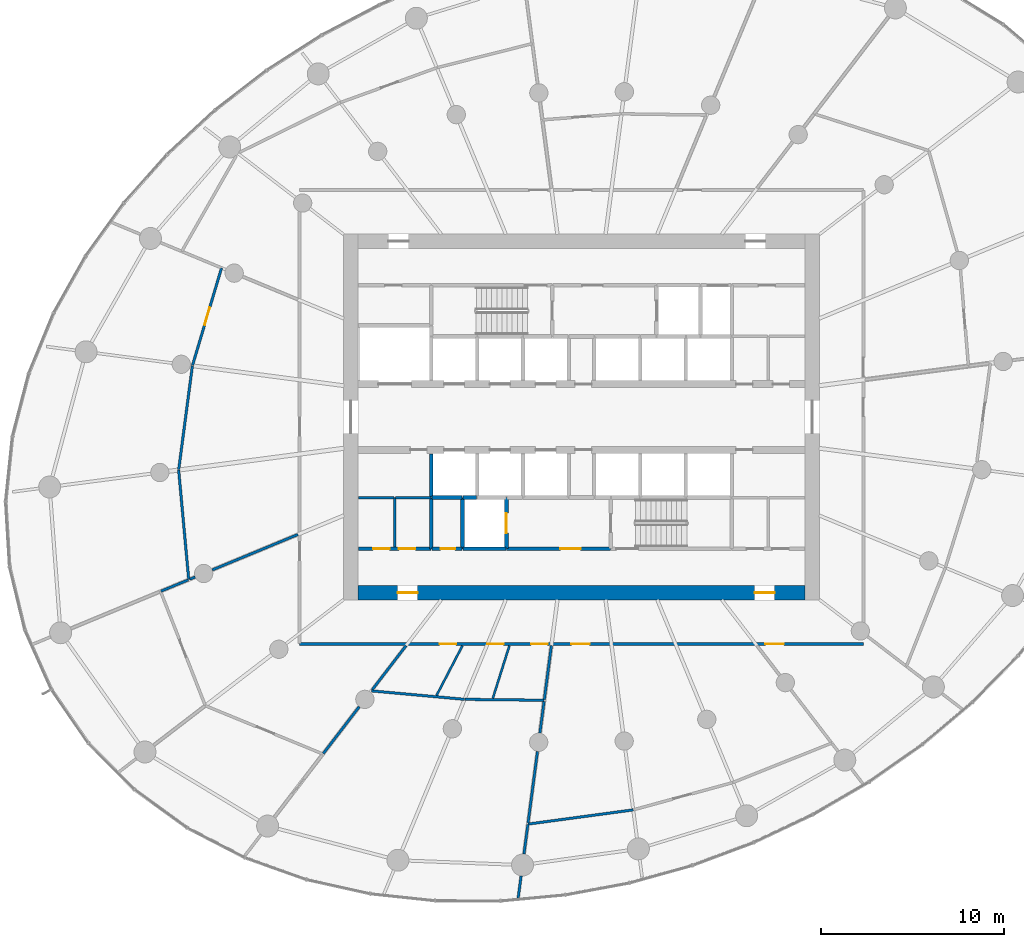
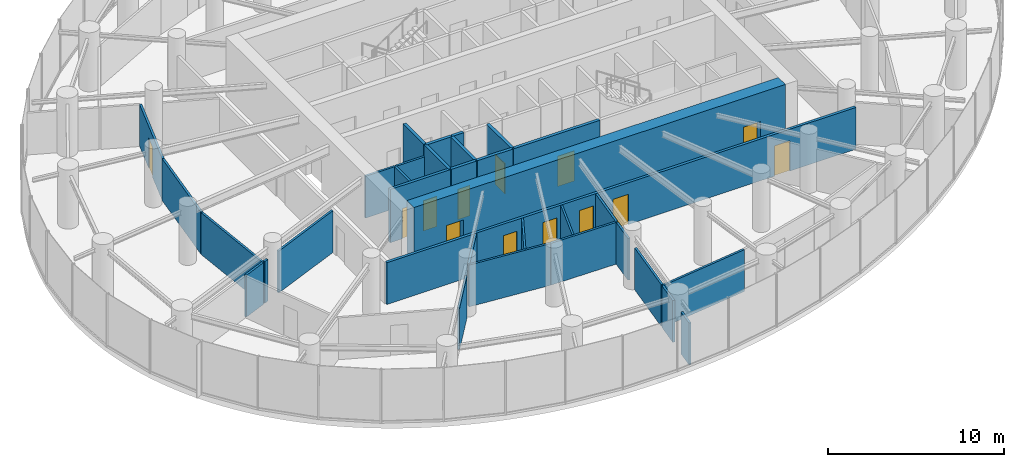
# One storey, part 10 of 17: 33 walls, 13 doors, 13 openings.
"""IFC4 building model written with IfcOpenShell, lengths in metres."""

from ifc_helpers import new_model, si_unit, direction, frame, frame_2d, origin, place, context, subcontext, project, spatial, rectangle, extrude, source, transform, mapped, material, layer, layer_set, type_object, element, fill, save


model = new_model("IFC4")

# Units and contexts
model_context = context("Model", 3, precision=1e-05, world=origin(), true_north=direction((0.0, 1.0)))
body_context = subcontext(model_context, "Body", "Model", "MODEL_VIEW")
ifc_project = project(units=[si_unit("LENGTHUNIT", "METRE"), si_unit("AREAUNIT", "SQUARE_METRE"), si_unit("VOLUMEUNIT", "CUBIC_METRE"), si_unit("PLANEANGLEUNIT", "RADIAN"), si_unit("MASSUNIT", "GRAM", prefix="KILO")], contexts=[model_context])

# Site, building, storey
site_placement = place(None, origin())
site = spatial("IfcSite", under=ifc_project, at=site_placement, CompositionType="ELEMENT")
building_placement = place(site_placement, origin())
building = spatial("IfcBuilding", under=site, at=building_placement, Name="Spindrift Exchange Tower", CompositionType="ELEMENT")
storey_placement = place(building_placement, frame((0.0, 0.0, 92.10009765625)))
storey = spatial("IfcBuildingStorey", under=building, at=storey_placement, Name="L21", CompositionType="ELEMENT", Elevation=92.10009765625)

# Wall, openings, doors
ifc_material_1 = material(Name="Concrete 65 MPa", Category="concrete")
ifc_layer_1 = layer(ifc_material_1, 0.800048828125)
ifc_layer_set_1 = layer_set([ifc_layer_1], Name="RC Core Wall 800 Concrete 65 MPa")
wall_type_1 = type_object("IfcWallType", Name="RC Core Wall 800 Concrete 65 MPa", PredefinedType="SHEAR", material=ifc_layer_set_1)
wall_1_placement = place(storey_placement, frame((39.800048828125, 38.39990234375, 0.0), z_axis=(0.0, 0.0, 1.0), x_axis=(1.0, 0.0, 0.0)))
wall_1 = element("IfcWall", 1, at=wall_1_placement, inside=storey, type_object=wall_type_1, Name="Core wall S L21", PredefinedType="SHEAR", context=body_context, shape_type="SweptSolid", body=[
    extrude(rectangle(XDim=24.39990234375, YDim=0.800048828125, at=frame_2d((12.199951171875, 0.0))), origin(), (0.0, 0.0, 1.0), 4.099853515625),
])
opening_1_placement = place(wall_1_placement, frame((21.64990234375, 0.0, 0.0)))
opening_1 = element("IfcOpeningElement", 2, at=opening_1_placement, cuts=wall_1, Name="Opening L21-D22", PredefinedType="OPENING", context=body_context, shape_type="SweptSolid", body=[
    extrude(rectangle(XDim=1.10009765625, YDim=2.10009765625, at=frame_2d((0.550048828125, 1.050048828125))), frame((0.0, 0.409912109375, 0.0), z_axis=(0.0, -1.0, 0.0), x_axis=(1.0, 0.0, 0.0)), (0.0, 0.0, 1.0), 0.820068359375),
])
opening_2_placement = place(wall_1_placement, frame((2.14990234375, 0.0, 0.0)))
opening_2 = element("IfcOpeningElement", 3, at=opening_2_placement, cuts=wall_1, Name="Opening L21-D23", PredefinedType="OPENING", context=body_context, shape_type="SweptSolid", body=[
    extrude(rectangle(XDim=1.10009765625, YDim=2.10009765625, at=frame_2d((0.550048828125, 1.050048828125))), frame((0.0, 0.409912109375, 0.0), z_axis=(0.0, -1.0, 0.0), x_axis=(1.0, 0.0, 0.0)), (0.0, 0.0, 1.0), 0.820068359375),
])
ifc_material_2 = material(Name="Steel fire door", Category="steel")
door_type_1 = type_object("IfcDoorType", Name="DR-STAIR-1100", OperationType="NOTDEFINED", PredefinedType="DOOR", material=ifc_material_2)
shared_shape_1 = source(origin(), body_context, "Body", "SweptSolid", [
    extrude(rectangle(XDim=1.10009765625, YDim=2.10009765625, at=frame_2d((0.550048828125, 1.050048828125))), frame((0.0, 0.02490234375, 0.0), z_axis=(0.0, -1.0, 0.0), x_axis=(1.0, 0.0, 0.0)), (0.0, 0.0, 1.0), 0.050048828125),
])
door_1_placement = place(opening_1_placement, origin())
door_1 = element("IfcDoor", 4, at=door_1_placement, inside=storey, type_object=door_type_1, Name="L21 Stair door 22", OperationType="SINGLE_SWING_LEFT", OverallHeight=2.10009765625, OverallWidth=1.10009765625, PredefinedType="DOOR", context=body_context, shape_type="MappedRepresentation", body=[
    mapped(shared_shape_1, transform((0.0, 0.0, 0.0), scale=1.0)),
])
fill(opening_1, door_1)
door_2_placement = place(opening_2_placement, origin())
door_2 = element("IfcDoor", 5, at=door_2_placement, inside=storey, type_object=door_type_1, Name="L21 Stair door 23", OperationType="SINGLE_SWING_RIGHT", OverallHeight=2.10009765625, OverallWidth=1.10009765625, PredefinedType="DOOR", context=body_context, shape_type="MappedRepresentation", body=[
    mapped(shared_shape_1, transform((0.0, 0.0, 0.0), scale=1.0)),
])
fill(opening_2, door_2)

ifc_material_3 = material(Name="Fire-rated plasterboard partition", Category="gypsum")
ifc_layer_2 = layer(ifc_material_3, 0.179931640625)
ifc_layer_set_2 = layer_set([ifc_layer_2], Name="W-CORR-180")
wall_type_2 = type_object("IfcWallType", Name="W-CORR-180", PredefinedType="PARTITIONING", material=ifc_layer_set_2)
wall_2_placement = place(storey_placement, frame((39.820068359375, 40.800048828125, 0.0), z_axis=(0.0, 0.0, 1.0), x_axis=(1.0, 0.0, 0.0)))
wall_2 = element("IfcWall", 6, at=wall_2_placement, inside=storey, type_object=wall_type_2, Name="L21 Partition wall 63", PredefinedType="PARTITIONING", context=body_context, shape_type="SweptSolid", body=[
    extrude(rectangle(XDim=3.949951171875, YDim=0.179931640625, at=frame_2d((1.97509765625, 0.0))), origin(), (0.0, 0.0, 1.0), 3.699951171875),
])
opening_3_placement = place(wall_2_placement, frame((0.800048828125, 0.0, 0.0)))
opening_3 = element("IfcOpeningElement", 7, at=opening_3_placement, cuts=wall_2, Name="Opening L21-D46", PredefinedType="OPENING", context=body_context, shape_type="SweptSolid", body=[
    extrude(rectangle(XDim=0.89990234375, YDim=2.10009765625, at=frame_2d((0.449951171875, 1.050048828125))), frame((0.0, 0.099853515625, 0.0), z_axis=(0.0, -1.0, 0.0), x_axis=(1.0, 0.0, 0.0)), (0.0, 0.0, 1.0), 0.199951171875),
])
opening_4_placement = place(wall_2_placement, frame((2.199951171875, 0.0, 0.0)))
opening_4 = element("IfcOpeningElement", 8, at=opening_4_placement, cuts=wall_2, Name="Opening L21-D47", PredefinedType="OPENING", context=body_context, shape_type="SweptSolid", body=[
    extrude(rectangle(XDim=0.89990234375, YDim=2.10009765625, at=frame_2d((0.449951171875, 1.050048828125))), frame((0.0, 0.099853515625, 0.0), z_axis=(0.0, -1.0, 0.0), x_axis=(1.0, 0.0, 0.0)), (0.0, 0.0, 1.0), 0.199951171875),
])
ifc_material_4 = material(Name="Steel access door", Category="steel")
door_type_2 = type_object("IfcDoorType", Name="DR-RISER-900", OperationType="NOTDEFINED", PredefinedType="DOOR", material=ifc_material_4)
shared_shape_2 = source(origin(), body_context, "Body", "SweptSolid", [
    extrude(rectangle(XDim=0.89990234375, YDim=2.10009765625, at=frame_2d((0.449951171875, 1.050048828125))), frame((0.0, 0.02490234375, 0.0), z_axis=(0.0, -1.0, 0.0), x_axis=(1.0, 0.0, 0.0)), (0.0, 0.0, 1.0), 0.050048828125),
])
door_3_placement = place(opening_3_placement, origin())
door_3 = element("IfcDoor", 9, at=door_3_placement, inside=storey, type_object=door_type_2, Name="L21 Riser door 46", OperationType="SINGLE_SWING_LEFT", OverallHeight=2.10009765625, OverallWidth=0.89990234375, PredefinedType="DOOR", context=body_context, shape_type="MappedRepresentation", body=[
    mapped(shared_shape_2, transform((0.0, 0.0, 0.0), scale=1.0)),
])
fill(opening_3, door_3)
door_4_placement = place(opening_4_placement, origin())
door_4 = element("IfcDoor", 10, at=door_4_placement, inside=storey, type_object=door_type_2, Name="L21 Riser door 47", OperationType="SINGLE_SWING_RIGHT", OverallHeight=2.10009765625, OverallWidth=0.89990234375, PredefinedType="DOOR", context=body_context, shape_type="MappedRepresentation", body=[
    mapped(shared_shape_2, transform((0.0, 0.0, 0.0), scale=1.0)),
])
fill(opening_4, door_4)

# Walls
ifc_layer_3 = layer(ifc_material_3, 0.139892578125)
ifc_layer_set_3 = layer_set([ifc_layer_3], Name="W-PART-140")
wall_type_3 = type_object("IfcWallType", Name="W-PART-140", PredefinedType="PARTITIONING", material=ifc_layer_set_3)
wall_3_placement = place(storey_placement, frame((41.800048828125, 40.889892578125, 0.0), z_axis=(0.0, 0.0, 1.0), x_axis=(0.0, 1.0, 0.0)))
element("IfcWall", 11, at=wall_3_placement, inside=storey, type_object=wall_type_3, Name="L21 Partition wall 104", PredefinedType="PARTITIONING", context=body_context, shape_type="SweptSolid", body=[
    extrude(rectangle(XDim=2.710205078125, YDim=0.139892578125, at=frame_2d((1.35498046875, 0.0))), origin(), (0.0, 0.0, 1.0), 2.89990234375),
])
wall_4_placement = place(storey_placement, frame((43.77001953125, 43.60009765625, 0.0), z_axis=(0.0, 0.0, 1.0), x_axis=(-1.0, 0.0, 0.0)))
element("IfcWall", 12, at=wall_4_placement, inside=storey, type_object=wall_type_3, Name="L21 Partition wall 112", PredefinedType="PARTITIONING", context=body_context, shape_type="SweptSolid", body=[
    extrude(rectangle(XDim=1.93994140625, YDim=0.139892578125, at=frame_2d((0.969970703125, 0.0))), origin(), (0.0, 0.0, 1.0), 2.89990234375),
])
wall_5_placement = place(storey_placement, frame((41.77001953125, 43.60009765625, 0.0), z_axis=(0.0, 0.0, 1.0), x_axis=(-1.0, 0.0, 0.0)))
element("IfcWall", 13, at=wall_5_placement, inside=storey, type_object=wall_type_3, Name="L21 Partition wall 117", PredefinedType="PARTITIONING", context=body_context, shape_type="SweptSolid", body=[
    extrude(rectangle(XDim=1.949951171875, YDim=0.139892578125, at=frame_2d((0.97509765625, 0.0))), origin(), (0.0, 0.0, 1.0), 2.89990234375),
])
ifc_layer_4 = layer(ifc_material_3, 0.139892578125)
ifc_layer_set_4 = layer_set([ifc_layer_4], Name="W-PLANT-140")
wall_type_4 = type_object("IfcWallType", Name="W-PLANT-140", PredefinedType="PARTITIONING", material=ifc_layer_set_4)
wall_6_placement = place(storey_placement, frame((29.993408203125, 45.102783203125, 0.0), z_axis=(0.0, 0.0, 1.0), x_axis=(0.091688453154, -0.995787742221, 0.0)))
element("IfcWall", 14, at=wall_6_placement, inside=storey, type_object=wall_type_4, Name="L21 Partition wall 71", PredefinedType="PARTITIONING", context=body_context, shape_type="SweptSolid", body=[
    extrude(rectangle(XDim=6.01513671875, YDim=0.139892578125, at=frame_2d((3.007568359375, 0.0))), origin(), (0.0, 0.0, 1.0), 2.89990234375),
])
wall_7_placement = place(storey_placement, frame((49.072265625, 25.761474609375, 0.0), z_axis=(0.0, 0.0, 1.0), x_axis=(0.991000573884, 0.133857620483, 0.0)))
element("IfcWall", 15, at=wall_7_placement, inside=storey, type_object=wall_type_4, Name="L21 Partition wall 74", PredefinedType="PARTITIONING", context=body_context, shape_type="SweptSolid", body=[
    extrude(rectangle(XDim=5.805419921875, YDim=0.139892578125, at=frame_2d((2.90283203125, 0.0))), origin(), (0.0, 0.0, 1.0), 2.89990234375),
])
wall_8_placement = place(storey_placement, frame((30.744384765625, 50.79833984375, 0.0), z_axis=(0.0, 0.0, 1.0), x_axis=(-0.130725256145, -0.99141863378, 0.0)))
element("IfcWall", 16, at=wall_8_placement, inside=storey, type_object=wall_type_4, Name="L21 Partition wall 77", PredefinedType="PARTITIONING", context=body_context, shape_type="SweptSolid", body=[
    extrude(rectangle(XDim=5.71484375, YDim=0.139892578125, at=frame_2d((2.857421875, 0.0))), origin(), (0.0, 0.0, 1.0), 2.89990234375),
])

# Wall, opening, door
wall_9_placement = place(storey_placement, frame((30.7529296875, 50.8271484375, 0.0), z_axis=(0.0, 0.0, 1.0), x_axis=(0.28557117519, 0.95835750318, 0.0)))
wall_9 = element("IfcWall", 17, at=wall_9_placement, inside=storey, type_object=wall_type_4, Name="L21 Partition wall 81", PredefinedType="PARTITIONING", context=body_context, shape_type="SweptSolid", body=[
    extrude(rectangle(XDim=5.54833984375, YDim=0.139892578125, at=frame_2d((2.774169921875, 0.0))), origin(), (0.0, 0.0, 1.0), 2.89990234375),
])
opening_5_placement = place(wall_9_placement, frame((2.298583984375, 0.0, 0.0)))
opening_5 = element("IfcOpeningElement", 18, at=opening_5_placement, cuts=wall_9, Name="Opening L21-D41", PredefinedType="OPENING", context=body_context, shape_type="SweptSolid", body=[
    extrude(rectangle(XDim=1.0, YDim=2.10009765625, at=frame_2d((0.5, 1.050048828125))), frame((0.0, 0.079833984375, 0.0), z_axis=(0.0, -1.0, 0.0), x_axis=(1.0, 0.0, 0.0)), (0.0, 0.0, 1.0), 0.159912109375),
])
ifc_material_5 = material(Name="Timber-core fire door", Category="wood")
door_type_3 = type_object("IfcDoorType", Name="DR-ROOM-1000", OperationType="NOTDEFINED", PredefinedType="DOOR", material=ifc_material_5)
shared_shape_3 = source(origin(), body_context, "Body", "SweptSolid", [
    extrude(rectangle(XDim=1.0, YDim=2.10009765625, at=frame_2d((0.5, 1.050048828125))), frame((0.0, 0.02490234375, 0.0), z_axis=(0.0, -1.0, 0.0), x_axis=(1.0, 0.0, 0.0)), (0.0, 0.0, 1.0), 0.050048828125),
])
door_5_placement = place(opening_5_placement, origin())
door_5 = element("IfcDoor", 19, at=door_5_placement, inside=storey, type_object=door_type_3, Name="L21 Door 41", OperationType="SINGLE_SWING_RIGHT", OverallHeight=2.10009765625, OverallWidth=1.0, PredefinedType="DOOR", context=body_context, shape_type="MappedRepresentation", body=[
    mapped(shared_shape_3, transform((0.0, 0.0, 0.0), scale=1.0)),
])
fill(opening_5, door_5)

# Walls
wall_10_placement = place(storey_placement, frame((36.510009765625, 41.583740234375, 0.0), z_axis=(0.0, 0.0, 1.0), x_axis=(-0.923890025086, -0.382658100067, 0.0)))
element("IfcWall", 20, at=wall_10_placement, inside=storey, type_object=wall_type_4, Name="L21 Partition wall 87", PredefinedType="PARTITIONING", context=body_context, shape_type="SweptSolid", body=[
    extrude(rectangle(XDim=5.068359375, YDim=0.139892578125, at=frame_2d((2.5341796875, 0.0))), origin(), (0.0, 0.0, 1.0), 2.89990234375),
])
wall_11_placement = place(storey_placement, frame((40.52001953125, 33.0390625, 0.0), z_axis=(0.0, 0.0, 1.0), x_axis=(0.995896728673, -0.090496993423, 0.0)))
element("IfcWall", 21, at=wall_11_placement, inside=storey, type_object=wall_type_4, Name="L21 Partition wall 88", PredefinedType="PARTITIONING", context=body_context, shape_type="SweptSolid", body=[
    extrude(rectangle(XDim=5.1123046875, YDim=0.139892578125, at=frame_2d((2.55615234375, 0.0))), origin(), (0.0, 0.0, 1.0), 2.89990234375),
])
wall_12_placement = place(storey_placement, frame((45.641357421875, 32.576171875, 0.0), z_axis=(0.0, 0.0, 1.0), x_axis=(0.999935534921, -0.011354558642, 0.0)))
element("IfcWall", 22, at=wall_12_placement, inside=storey, type_object=wall_type_4, Name="L21 Partition wall 93", PredefinedType="PARTITIONING", context=body_context, shape_type="SweptSolid", body=[
    extrude(rectangle(XDim=4.32177734375, YDim=0.139892578125, at=frame_2d((2.160888671875, 0.0))), origin(), (0.0, 0.0, 1.0), 2.89990234375),
])
wall_13_placement = place(storey_placement, frame((49.594970703125, 29.732666015625, 0.0), z_axis=(0.0, 0.0, 1.0), x_axis=(-0.130480204278, -0.991450914716, 0.0)))
element("IfcWall", 23, at=wall_13_placement, inside=storey, type_object=wall_type_4, Name="L21 Partition wall 95", PredefinedType="PARTITIONING", context=body_context, shape_type="SweptSolid", body=[
    extrude(rectangle(XDim=3.93310546875, YDim=0.139892578125, at=frame_2d((1.966552734375, 0.0))), origin(), (0.0, 0.0, 1.0), 2.89990234375),
])
wall_14_placement = place(storey_placement, frame((39.85791015625, 32.176025390625, 0.0), z_axis=(0.0, 0.0, 1.0), x_axis=(-0.608767895977, -0.79334837797, 0.0)))
element("IfcWall", 24, at=wall_14_placement, inside=storey, type_object=wall_type_4, Name="L21 Partition wall 101", PredefinedType="PARTITIONING", context=body_context, shape_type="SweptSolid", body=[
    extrude(rectangle(XDim=3.22998046875, YDim=0.139892578125, at=frame_2d((1.614990234375, 0.0))), origin(), (0.0, 0.0, 1.0), 2.89990234375),
])
wall_15_placement = place(storey_placement, frame((42.416015625, 35.510009765625, 0.0), z_axis=(0.0, 0.0, 1.0), x_axis=(-0.608725669938, -0.793380777911, 0.0)))
element("IfcWall", 25, at=wall_15_placement, inside=storey, type_object=wall_type_4, Name="L21 Partition wall 102", PredefinedType="PARTITIONING", context=body_context, shape_type="SweptSolid", body=[
    extrude(rectangle(XDim=3.03173828125, YDim=0.139892578125, at=frame_2d((1.515869140625, 0.0))), origin(), (0.0, 0.0, 1.0), 2.89990234375),
])
wall_16_placement = place(storey_placement, frame((50.355712890625, 35.510009765625, 0.0), z_axis=(0.0, 0.0, 1.0), x_axis=(-0.13056900495, -0.991439224031, 0.0)))
element("IfcWall", 26, at=wall_16_placement, inside=storey, type_object=wall_type_4, Name="L21 Partition wall 103", PredefinedType="PARTITIONING", context=body_context, shape_type="SweptSolid", body=[
    extrude(rectangle(XDim=2.978515625, YDim=0.139892578125, at=frame_2d((1.4892578125, 0.0))), origin(), (0.0, 0.0, 1.0), 2.89990234375),
])
wall_17_placement = place(storey_placement, frame((49.953857421875, 32.457275390625, 0.0), z_axis=(0.0, 0.0, 1.0), x_axis=(-0.130545289911, -0.991442346928, 0.0)))
element("IfcWall", 27, at=wall_17_placement, inside=storey, type_object=wall_type_4, Name="L21 Partition wall 118", PredefinedType="PARTITIONING", context=body_context, shape_type="SweptSolid", body=[
    extrude(rectangle(XDim=1.7392578125, YDim=0.139892578125, at=frame_2d((0.86962890625, 0.0))), origin(), (0.0, 0.0, 1.0), 2.89990234375),
])
wall_18_placement = place(storey_placement, frame((30.517333984375, 39.1015625, 0.0), z_axis=(0.0, 0.0, 1.0), x_axis=(-0.923924255361, -0.382575444006, 0.0)))
element("IfcWall", 28, at=wall_18_placement, inside=storey, type_object=wall_type_4, Name="L21 Partition wall 121", PredefinedType="PARTITIONING", context=body_context, shape_type="SweptSolid", body=[
    extrude(rectangle(XDim=1.60693359375, YDim=0.139892578125, at=frame_2d((0.803466796875, 0.0))), origin(), (0.0, 0.0, 1.0), 2.89990234375),
])
wall_19_placement = place(storey_placement, frame((49.068359375, 25.731689453125, 0.0), z_axis=(0.0, 0.0, 1.0), x_axis=(-0.13054788539, -0.991442005172, 0.0)))
element("IfcWall", 29, at=wall_19_placement, inside=storey, type_object=wall_type_4, Name="L21 Partition wall 122", PredefinedType="PARTITIONING", context=body_context, shape_type="SweptSolid", body=[
    extrude(rectangle(XDim=1.623291015625, YDim=0.139892578125, at=frame_2d((0.8115234375, 0.0))), origin(), (0.0, 0.0, 1.0), 2.89990234375),
])
wall_20_placement = place(storey_placement, frame((48.69873046875, 22.924072265625, 0.0), z_axis=(0.0, 0.0, 1.0), x_axis=(-0.130475508699, -0.991451532668, 0.0)))
element("IfcWall", 30, at=wall_20_placement, inside=storey, type_object=wall_type_4, Name="L21 Partition wall 131", PredefinedType="PARTITIONING", context=body_context, shape_type="SweptSolid", body=[
    extrude(rectangle(XDim=1.203125, YDim=0.139892578125, at=frame_2d((0.6015625, 0.0))), origin(), (0.0, 0.0, 1.0), 2.89990234375),
])
wall_21_placement = place(storey_placement, frame((30.89404296875, 39.2578125, 0.0), z_axis=(0.0, 0.0, 1.0), x_axis=(-0.923645219799, -0.383248624188, 0.0)))
element("IfcWall", 31, at=wall_21_placement, inside=storey, type_object=wall_type_4, Name="L21 Partition wall 138", PredefinedType="PARTITIONING", context=body_context, shape_type="SweptSolid", body=[
    extrude(rectangle(XDim=0.304443359375, YDim=0.139892578125, at=frame_2d((0.15234375, 0.0))), origin(), (0.0, 0.0, 1.0), 2.89990234375),
])

# Wall, openings, doors
ifc_layer_5 = layer(ifc_material_3, 0.179931640625)
ifc_layer_set_5 = layer_set([ifc_layer_5], Name="W-PLANT-180")
wall_type_5 = type_object("IfcWallType", Name="W-PLANT-180", PredefinedType="PARTITIONING", material=ifc_layer_set_5)
wall_22_placement = place(storey_placement, frame((67.39990234375, 35.60009765625, 0.0), z_axis=(0.0, 0.0, 1.0), x_axis=(-1.0, 0.0, 0.0)))
wall_22 = element("IfcWall", 32, at=wall_22_placement, inside=storey, type_object=wall_type_5, Name="L21 Partition wall 57", PredefinedType="PARTITIONING", context=body_context, shape_type="SweptSolid", body=[
    extrude(rectangle(XDim=30.7998046875, YDim=0.179931640625, at=frame_2d((15.39990234375, 0.0))), origin(), (0.0, 0.0, 1.0), 2.89990234375),
])
opening_6_placement = place(wall_22_placement, frame((22.25, 0.0, 0.0)))
opening_6 = element("IfcOpeningElement", 33, at=opening_6_placement, cuts=wall_22, Name="Opening L21-D24", PredefinedType="OPENING", context=body_context, shape_type="SweptSolid", body=[
    extrude(rectangle(XDim=0.89990234375, YDim=2.10009765625, at=frame_2d((0.449951171875, 1.050048828125))), frame((0.0, 0.099853515625, 0.0), z_axis=(0.0, -1.0, 0.0), x_axis=(1.0, 0.0, 0.0)), (0.0, 0.0, 1.0), 0.199951171875),
])
opening_7_placement = place(wall_22_placement, frame((19.64990234375, 0.0, 0.0)))
opening_7 = element("IfcOpeningElement", 34, at=opening_7_placement, cuts=wall_22, Name="Opening L21-D25", PredefinedType="OPENING", context=body_context, shape_type="SweptSolid", body=[
    extrude(rectangle(XDim=0.89990234375, YDim=2.10009765625, at=frame_2d((0.449951171875, 1.050048828125))), frame((0.0, 0.099853515625, 0.0), z_axis=(0.0, -1.0, 0.0), x_axis=(1.0, 0.0, 0.0)), (0.0, 0.0, 1.0), 0.199951171875),
])
opening_8_placement = place(wall_22_placement, frame((17.25, 0.0, 0.0)))
opening_8 = element("IfcOpeningElement", 35, at=opening_8_placement, cuts=wall_22, Name="Opening L21-D26", PredefinedType="OPENING", context=body_context, shape_type="SweptSolid", body=[
    extrude(rectangle(XDim=0.89990234375, YDim=2.10009765625, at=frame_2d((0.449951171875, 1.050048828125))), frame((0.0, 0.099853515625, 0.0), z_axis=(0.0, -1.0, 0.0), x_axis=(1.0, 0.0, 0.0)), (0.0, 0.0, 1.0), 0.199951171875),
])
opening_9_placement = place(wall_22_placement, frame((14.949951171875, 0.0, 0.0)))
opening_9 = element("IfcOpeningElement", 36, at=opening_9_placement, cuts=wall_22, Name="Opening L21-D27", PredefinedType="OPENING", context=body_context, shape_type="SweptSolid", body=[
    extrude(rectangle(XDim=1.0, YDim=2.10009765625, at=frame_2d((0.5, 1.050048828125))), frame((0.0, 0.099853515625, 0.0), z_axis=(0.0, -1.0, 0.0), x_axis=(1.0, 0.0, 0.0)), (0.0, 0.0, 1.0), 0.199951171875),
])
opening_10_placement = place(wall_22_placement, frame((4.35009765625, 0.0, 0.0)))
opening_10 = element("IfcOpeningElement", 37, at=opening_10_placement, cuts=wall_22, Name="Opening L21-D30", PredefinedType="OPENING", context=body_context, shape_type="SweptSolid", body=[
    extrude(rectangle(XDim=1.0, YDim=2.10009765625, at=frame_2d((0.5, 1.050048828125))), frame((0.0, 0.099853515625, 0.0), z_axis=(0.0, -1.0, 0.0), x_axis=(1.0, 0.0, 0.0)), (0.0, 0.0, 1.0), 0.199951171875),
])
door_6_placement = place(opening_9_placement, origin())
door_6 = element("IfcDoor", 38, at=door_6_placement, inside=storey, type_object=door_type_3, Name="L21 Door 27", OperationType="SINGLE_SWING_RIGHT", OverallHeight=2.10009765625, OverallWidth=1.0, PredefinedType="DOOR", context=body_context, shape_type="MappedRepresentation", body=[
    mapped(shared_shape_3, transform((0.0, 0.0, 0.0), scale=1.0)),
])
fill(opening_9, door_6)
door_7_placement = place(opening_10_placement, origin())
door_7 = element("IfcDoor", 39, at=door_7_placement, inside=storey, type_object=door_type_3, Name="L21 Door 30", OperationType="SINGLE_SWING_LEFT", OverallHeight=2.10009765625, OverallWidth=1.0, PredefinedType="DOOR", context=body_context, shape_type="MappedRepresentation", body=[
    mapped(shared_shape_3, transform((0.0, 0.0, 0.0), scale=1.0)),
])
fill(opening_10, door_7)
ifc_material_6 = material(Name="Laminate washroom door", Category="wood")
door_type_4 = type_object("IfcDoorType", Name="DR-WC-900", OperationType="NOTDEFINED", PredefinedType="DOOR", material=ifc_material_6)
shared_shape_4 = source(origin(), body_context, "Body", "SweptSolid", [
    extrude(rectangle(XDim=0.89990234375, YDim=2.10009765625, at=frame_2d((0.449951171875, 1.050048828125))), frame((0.0, 0.02490234375, 0.0), z_axis=(0.0, -1.0, 0.0), x_axis=(1.0, 0.0, 0.0)), (0.0, 0.0, 1.0), 0.050048828125),
])
door_8_placement = place(opening_6_placement, origin())
door_8 = element("IfcDoor", 40, at=door_8_placement, inside=storey, type_object=door_type_4, Name="L21 WC door 24", OperationType="SINGLE_SWING_LEFT", OverallHeight=2.10009765625, OverallWidth=0.89990234375, PredefinedType="DOOR", context=body_context, shape_type="MappedRepresentation", body=[
    mapped(shared_shape_4, transform((0.0, 0.0, 0.0), scale=1.0)),
])
fill(opening_6, door_8)
door_9_placement = place(opening_7_placement, origin())
door_9 = element("IfcDoor", 41, at=door_9_placement, inside=storey, type_object=door_type_4, Name="L21 WC door 25", OperationType="SINGLE_SWING_RIGHT", OverallHeight=2.10009765625, OverallWidth=0.89990234375, PredefinedType="DOOR", context=body_context, shape_type="MappedRepresentation", body=[
    mapped(shared_shape_4, transform((0.0, 0.0, 0.0), scale=1.0)),
])
fill(opening_7, door_9)
door_10_placement = place(opening_8_placement, origin())
door_10 = element("IfcDoor", 42, at=door_10_placement, inside=storey, type_object=door_type_4, Name="L21 WC door 26", OperationType="SINGLE_SWING_LEFT", OverallHeight=2.10009765625, OverallWidth=0.89990234375, PredefinedType="DOOR", context=body_context, shape_type="MappedRepresentation", body=[
    mapped(shared_shape_4, transform((0.0, 0.0, 0.0), scale=1.0)),
])
fill(opening_8, door_10)

# Walls
ifc_material_7 = material(Name="Concrete 40 MPa", Category="concrete")
ifc_layer_6 = layer(ifc_material_7, 0.199951171875)
ifc_layer_set_6 = layer_set([ifc_layer_6], Name="W-SHAFT-200")
wall_type_6 = type_object("IfcWallType", Name="W-SHAFT-200", PredefinedType="SOLIDWALL", material=ifc_layer_set_6)
for number, where, z_axis, x_axis, name in (
    (43, (43.800048828125, 43.60009765625, 0.0), (0.0, 0.0, 1.0), (0.0, -1.0, 0.0), "L21 Shaft wall 6"),
    (44, (45.5, 43.60009765625, 0.0), (0.0, 0.0, 1.0), (0.0, -1.0, 0.0), "L21 Shaft wall 7"),
):
    element("IfcWall", number, at=place(storey_placement, frame(where, z_axis=z_axis, x_axis=x_axis)), inside=storey, type_object=wall_type_6, Name=name, PredefinedType="SOLIDWALL", context=body_context, shape_type="SweptSolid", body=[
        extrude(rectangle(XDim=2.800048828125, YDim=0.199951171875, at=frame_2d((1.39990234375, 0.0))), origin(), (0.0, 0.0, 1.0), 3.699951171875),
    ])

# Wall, opening, door
wall_23_placement = place(storey_placement, frame((47.89990234375, 40.830078125, 0.0), z_axis=(0.0, 0.0, 1.0), x_axis=(0.0, 1.0, 0.0)))
wall_23 = element("IfcWall", 45, at=wall_23_placement, inside=storey, type_object=wall_type_6, Name="L21 Shaft wall 8", PredefinedType="SOLIDWALL", context=body_context, shape_type="SweptSolid", body=[
    extrude(rectangle(XDim=2.77001953125, YDim=0.199951171875, at=frame_2d((1.385009765625, 0.0))), origin(), (0.0, 0.0, 1.0), 3.699951171875),
])
opening_11_placement = place(wall_23_placement, frame((0.820068359375, 0.0, 0.0)))
opening_11 = element("IfcOpeningElement", 46, at=opening_11_placement, cuts=wall_23, Name="Opening L21-D10", PredefinedType="OPENING", context=body_context, shape_type="SweptSolid", body=[
    extrude(rectangle(XDim=1.10009765625, YDim=2.10009765625, at=frame_2d((0.550048828125, 1.050048828125))), frame((0.0, 0.10986328125, 0.0), z_axis=(0.0, -1.0, 0.0), x_axis=(1.0, 0.0, 0.0)), (0.0, 0.0, 1.0), 0.219970703125),
])
ifc_material_8 = material(Name="Stainless steel landing door", Category="steel")
door_type_5 = type_object("IfcDoorType", Name="DR-LANDING-1100-SL", OperationType="DOUBLE_DOOR_SLIDING", PredefinedType="USERDEFINED", material=ifc_material_8)
shared_shape_5 = source(origin(), body_context, "Body", "SweptSolid", [
    extrude(rectangle(XDim=1.10009765625, YDim=2.10009765625, at=frame_2d((0.550048828125, 1.050048828125))), frame((0.0, 0.02490234375, 0.0), z_axis=(0.0, -1.0, 0.0), x_axis=(1.0, 0.0, 0.0)), (0.0, 0.0, 1.0), 0.050048828125),
])
door_11_placement = place(opening_11_placement, origin())
door_11 = element("IfcDoor", 47, at=door_11_placement, inside=storey, type_object=door_type_5, Name="L21 Lift landing door 10", ObjectType="LANDING DOOR", OperationType="DOUBLE_DOOR_SLIDING", OverallHeight=2.10009765625, OverallWidth=1.10009765625, PredefinedType="USERDEFINED", context=body_context, shape_type="MappedRepresentation", body=[
    mapped(shared_shape_5, transform((0.0, 0.0, 0.0), scale=1.0)),
])
fill(opening_11, door_11)

# Walls
wall_24_placement = place(storey_placement, frame((45.530029296875, 40.800048828125, 0.0), z_axis=(0.0, 0.0, 1.0), x_axis=(1.0, 0.0, 0.0)))
element("IfcWall", 48, at=wall_24_placement, inside=storey, type_object=wall_type_6, Name="L21 Shaft wall 21", PredefinedType="SOLIDWALL", context=body_context, shape_type="SweptSolid", body=[
    extrude(rectangle(XDim=2.340087890625, YDim=0.199951171875, at=frame_2d((1.169921875, 0.0))), origin(), (0.0, 0.0, 1.0), 3.699951171875),
])
wall_25_placement = place(storey_placement, frame((43.800048828125, 45.989990234375, 0.0), z_axis=(0.0, 0.0, 1.0), x_axis=(0.0, -1.0, 0.0)))
element("IfcWall", 49, at=wall_25_placement, inside=storey, type_object=wall_type_6, Name="L21 Shaft wall 23", PredefinedType="SOLIDWALL", context=body_context, shape_type="SweptSolid", body=[
    extrude(rectangle(XDim=2.360107421875, YDim=0.199951171875, at=frame_2d((1.18017578125, 0.0))), origin(), (0.0, 0.0, 1.0), 3.699951171875),
])
wall_26_placement = place(storey_placement, frame((43.830078125, 43.60009765625, 0.0), z_axis=(0.0, 0.0, 1.0), x_axis=(1.0, 0.0, 0.0)))
element("IfcWall", 50, at=wall_26_placement, inside=storey, type_object=wall_type_6, Name="L21 Shaft wall 40", PredefinedType="SOLIDWALL", context=body_context, shape_type="SweptSolid", body=[
    extrude(rectangle(XDim=1.639892578125, YDim=0.199951171875, at=frame_2d((0.81982421875, 0.0))), origin(), (0.0, 0.0, 1.0), 3.699951171875),
])

# Wall, opening, door
wall_27_placement = place(storey_placement, frame((43.830078125, 40.800048828125, 0.0), z_axis=(0.0, 0.0, 1.0), x_axis=(1.0, 0.0, 0.0)))
wall_27 = element("IfcWall", 51, at=wall_27_placement, inside=storey, type_object=wall_type_6, Name="L21 Shaft wall 41", PredefinedType="SOLIDWALL", context=body_context, shape_type="SweptSolid", body=[
    extrude(rectangle(XDim=1.639892578125, YDim=0.199951171875, at=frame_2d((0.81982421875, 0.0))), origin(), (0.0, 0.0, 1.0), 3.699951171875),
])
opening_12_placement = place(wall_27_placement, frame((0.469970703125, 0.0, 0.0)))
opening_12 = element("IfcOpeningElement", 52, at=opening_12_placement, cuts=wall_27, Name="Opening L21-D19", PredefinedType="OPENING", context=body_context, shape_type="SweptSolid", body=[
    extrude(rectangle(XDim=0.800048828125, YDim=2.10009765625, at=frame_2d((0.39990234375, 1.050048828125))), frame((0.0, 0.10986328125, 0.0), z_axis=(0.0, -1.0, 0.0), x_axis=(1.0, 0.0, 0.0)), (0.0, 0.0, 1.0), 0.219970703125),
])
door_type_6 = type_object("IfcDoorType", Name="DR-RISER-800", OperationType="NOTDEFINED", PredefinedType="DOOR", material=ifc_material_4)
shared_shape_6 = source(origin(), body_context, "Body", "SweptSolid", [
    extrude(rectangle(XDim=0.800048828125, YDim=2.10009765625, at=frame_2d((0.39990234375, 1.050048828125))), frame((0.0, 0.02490234375, 0.0), z_axis=(0.0, -1.0, 0.0), x_axis=(1.0, 0.0, 0.0)), (0.0, 0.0, 1.0), 0.050048828125),
])
door_12_placement = place(opening_12_placement, origin())
door_12 = element("IfcDoor", 53, at=door_12_placement, inside=storey, type_object=door_type_6, Name="L21 Riser door 19", OperationType="SINGLE_SWING_RIGHT", OverallHeight=2.10009765625, OverallWidth=0.800048828125, PredefinedType="DOOR", context=body_context, shape_type="MappedRepresentation", body=[
    mapped(shared_shape_6, transform((0.0, 0.0, 0.0), scale=1.0)),
])
fill(opening_12, door_12)

# Wall
wall_28_placement = place(storey_placement, frame((45.530029296875, 43.60009765625, 0.0), z_axis=(0.0, 0.0, 1.0), x_axis=(1.0, 0.0, 0.0)))
element("IfcWall", 54, at=wall_28_placement, inside=storey, type_object=wall_type_6, Name="L21 Shaft wall 54", PredefinedType="SOLIDWALL", context=body_context, shape_type="SweptSolid", body=[
    extrude(rectangle(XDim=0.739990234375, YDim=0.199951171875, at=frame_2d((0.3701171875, 0.0))), origin(), (0.0, 0.0, 1.0), 3.699951171875),
])

# Wall, opening, door
ifc_layer_7 = layer(ifc_material_7, 0.199951171875)
ifc_layer_set_7 = layer_set([ifc_layer_7], Name="W-SHAFT-200-LB")
wall_type_7 = type_object("IfcWallType", Name="W-SHAFT-200-LB", PredefinedType="SOLIDWALL", material=ifc_layer_set_7)
wall_29_placement = place(storey_placement, frame((47.89990234375, 40.800048828125, 0.0), z_axis=(0.0, 0.0, 1.0), x_axis=(1.0, 0.0, 0.0)))
wall_29 = element("IfcWall", 55, at=wall_29_placement, inside=storey, type_object=wall_type_7, Name="L21 Shaft wall 3", PredefinedType="SOLIDWALL", context=body_context, shape_type="SweptSolid", body=[
    extrude(rectangle(XDim=5.670166015625, YDim=0.199951171875, at=frame_2d((2.8349609375, 0.0))), origin(), (0.0, 0.0, 1.0), 3.699951171875),
])
opening_13_placement = place(wall_29_placement, frame((2.949951171875, 0.0, 0.0)))
opening_13 = element("IfcOpeningElement", 56, at=opening_13_placement, cuts=wall_29, Name="Opening L21-D18", PredefinedType="OPENING", context=body_context, shape_type="SweptSolid", body=[
    extrude(rectangle(XDim=1.10009765625, YDim=2.10009765625, at=frame_2d((0.550048828125, 1.050048828125))), frame((0.0, 0.10986328125, 0.0), z_axis=(0.0, -1.0, 0.0), x_axis=(1.0, 0.0, 0.0)), (0.0, 0.0, 1.0), 0.219970703125),
])
door_type_7 = type_object("IfcDoorType", Name="DR-LOBBY-1100", OperationType="NOTDEFINED", PredefinedType="DOOR", material=ifc_material_5)
shared_shape_7 = source(origin(), body_context, "Body", "SweptSolid", [
    extrude(rectangle(XDim=1.10009765625, YDim=2.10009765625, at=frame_2d((0.550048828125, 1.050048828125))), frame((0.0, 0.02490234375, 0.0), z_axis=(0.0, -1.0, 0.0), x_axis=(1.0, 0.0, 0.0)), (0.0, 0.0, 1.0), 0.050048828125),
])
door_13_placement = place(opening_13_placement, origin())
door_13 = element("IfcDoor", 57, at=door_13_placement, inside=storey, type_object=door_type_7, Name="L21 Lobby door 18", OperationType="SINGLE_SWING_LEFT", OverallHeight=2.10009765625, OverallWidth=1.10009765625, PredefinedType="DOOR", context=body_context, shape_type="MappedRepresentation", body=[
    mapped(shared_shape_7, transform((0.0, 0.0, 0.0), scale=1.0)),
])
fill(opening_13, door_13)

# Walls
ifc_layer_8 = layer(ifc_material_3, 0.1201171875)
ifc_layer_set_8 = layer_set([ifc_layer_8], Name="W-WET-120")
wall_type_8 = type_object("IfcWallType", Name="W-WET-120", PredefinedType="PARTITIONING", material=ifc_layer_set_8)
wall_30_placement = place(storey_placement, frame((45.498046875, 35.510009765625, 0.0), z_axis=(0.0, 0.0, 1.0), x_axis=(-0.461718143069, -0.887026694278, 0.0)))
element("IfcWall", 58, at=wall_30_placement, inside=storey, type_object=wall_type_8, Name="L21 Partition wall 139", PredefinedType="PARTITIONING", context=body_context, shape_type="SweptSolid", body=[
    extrude(rectangle(XDim=3.071044921875, YDim=0.1201171875, at=frame_2d((1.53564453125, 0.0))), origin(), (0.0, 0.0, 1.0), 2.89990234375),
])
wall_31_placement = place(storey_placement, frame((48.06201171875, 35.510009765625, 0.0), z_axis=(0.0, 0.0, 1.0), x_axis=(-0.30071748679, -0.953713265683, 0.0)))
element("IfcWall", 59, at=wall_31_placement, inside=storey, type_object=wall_type_8, Name="L21 Partition wall 140", PredefinedType="PARTITIONING", context=body_context, shape_type="SweptSolid", body=[
    extrude(rectangle(XDim=3.02099609375, YDim=0.1201171875, at=frame_2d((1.510498046875, 0.0))), origin(), (0.0, 0.0, 1.0), 2.89990234375),
])

save(model, "model.ifc")
